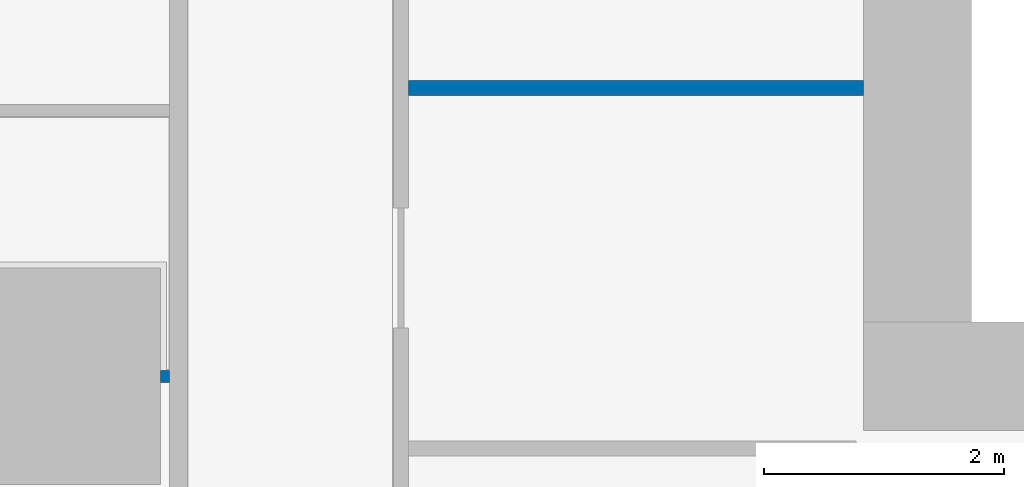
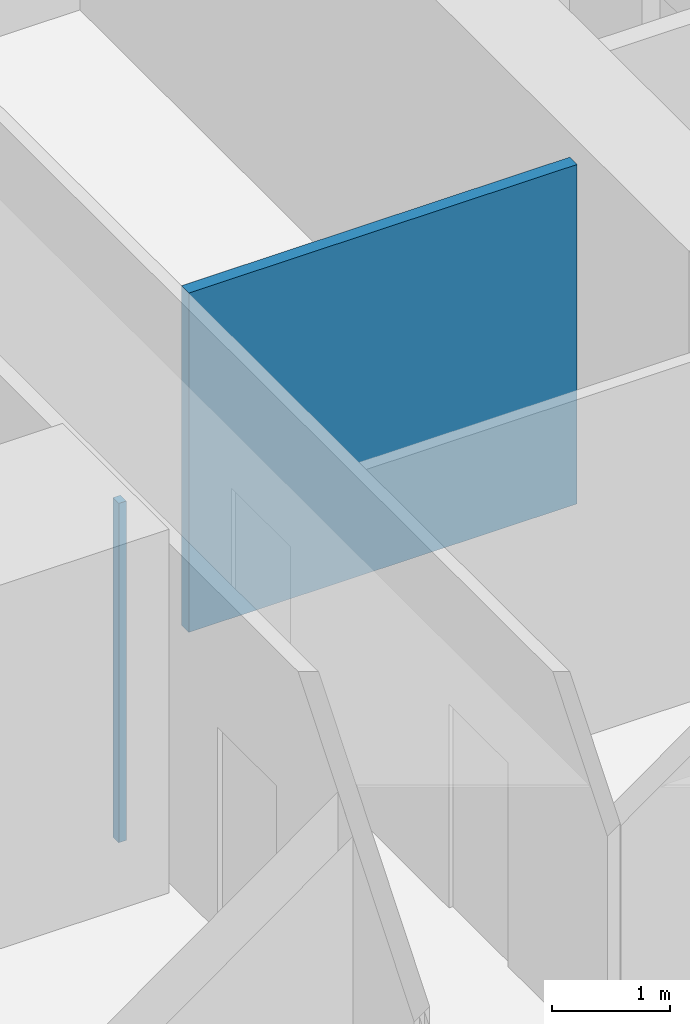
# One storey, part 5 of 16: 2 walls.
"""IFC4 building model written with IfcOpenShell, lengths in metres."""

import ifcopenshell
import ifcopenshell.guid

model = None  # the IFC model being written
_history = None  # IfcOwnerHistory: only IFC2X3 demands one
_inside = {}  # id of a spatial element -> (the spatial element, [elements in it])
_under = {}  # id of a project, library or spatial element -> (it, [spatial elements below it])
_declared = {}  # id of a project -> (the project, [libraries it declares])
_typed = {}  # id of a type object -> (the type object, [elements of that type])
_made_of = {}  # id of a material, layer set ... -> (it, [elements and type objects made of it])


def new_model(schema):
    """Start an empty IFC model of exactly this schema.

    Asked for "IFC4X3", IfcOpenShell would pick the latest addendum, in which some entities
    have other attributes; the version numbers below select the first issue.
    IFC2X3 requires an IfcOwnerHistory on every rooted entity: one is made here for all.
    """
    global model, _history
    if schema == "IFC4X3":
        model = ifcopenshell.file(schema_version=(4, 3, 0, 0))
    else:
        model = ifcopenshell.file(schema=schema)
    _inside.clear()
    _under.clear()
    _declared.clear()
    _typed.clear()
    _made_of.clear()
    _history = None
    if model.schema == "IFC2X3":
        org = make("IfcOrganization", Name="unknown")
        user = make(
            "IfcPersonAndOrganization",
            ThePerson=make("IfcPerson", FamilyName="unknown"),
            TheOrganization=org,
        )
        app = make(
            "IfcApplication",
            ApplicationDeveloper=org,
            Version="unknown",
            ApplicationFullName="unknown",
            ApplicationIdentifier="unknown",
        )
        _history = make(
            "IfcOwnerHistory",
            OwningUser=user,
            OwningApplication=app,
            ChangeAction="ADDED",
            CreationDate=0,
        )
    return model


def make(cls, **values):
    """One entity of the class cls with the attributes given. An attribute that is None is left unset."""
    return model.create_entity(
        cls, **{name: value for name, value in values.items() if value is not None}
    )


def rooted(cls, **values):
    """An entity with a GlobalId (a new one), such as an element, a storey or a relation."""
    return make(cls, GlobalId=ifcopenshell.guid.new(), OwnerHistory=_history, **values)


def si_unit(unit_type, name, prefix=None):
    """IfcSIUnit, for example si_unit("LENGTHUNIT", "METRE", prefix="MILLI")."""
    return make("IfcSIUnit", UnitType=unit_type, Prefix=prefix, Name=name)


def assignment(units):
    """IfcUnitAssignment: the units of a project."""
    return None if units is None else make("IfcUnitAssignment", Units=units)


def point(xyz):
    """IfcCartesianPoint."""
    return None if xyz is None else make("IfcCartesianPoint", Coordinates=xyz)


def direction(xyz):
    """IfcDirection."""
    return None if xyz is None else make("IfcDirection", DirectionRatios=xyz)


def frame(location, z_axis=None, x_axis=None):
    """IfcAxis2Placement3D, a coordinate frame: its origin and axes. An axis left out is left unset."""
    return make(
        "IfcAxis2Placement3D",
        Location=point(location),
        Axis=direction(z_axis),
        RefDirection=direction(x_axis),
    )


def frame_2d(location, x_axis=None):
    """IfcAxis2Placement2D, a coordinate frame in the plane: its origin and x axis."""
    return make(
        "IfcAxis2Placement2D", Location=point(location), RefDirection=direction(x_axis)
    )


def origin():
    """The frame at (0, 0, 0) with its axes left unset."""
    return frame((0.0, 0.0, 0.0))


def place(relative_to, where):
    """IfcLocalPlacement: puts the frame where relative to a parent placement (None: the world)."""
    return make(
        "IfcLocalPlacement", PlacementRelTo=relative_to, RelativePlacement=where
    )


def context(
    kind, dimensions, precision=None, world=None, true_north=None, identifier=None
):
    """IfcGeometricRepresentationContext, for example the 3D "Model" context."""
    return make(
        "IfcGeometricRepresentationContext",
        ContextIdentifier=identifier,
        ContextType=kind,
        CoordinateSpaceDimension=dimensions,
        Precision=precision,
        WorldCoordinateSystem=world,
        TrueNorth=true_north,
    )


def subcontext(parent, identifier, kind, view, scale=None):
    """IfcGeometricRepresentationSubContext, for example "Body" below "Model"."""
    return make(
        "IfcGeometricRepresentationSubContext",
        ContextIdentifier=identifier,
        ContextType=kind,
        ParentContext=parent,
        TargetScale=scale,
        TargetView=view,
    )


def project(units=None, contexts=None):
    """IfcProject with its units and contexts."""
    return rooted(
        "IfcProject",
        Name="project",
        RepresentationContexts=contexts,
        UnitsInContext=assignment(units),
    )


def spatial(cls, under=None, at=None, **own):
    """A site, building, storey or space (cls), placed at a placement, below another one or the project."""
    s = rooted(cls, ObjectPlacement=at, **own)
    if under is not None:
        _under.setdefault(under.id(), (under, []))[1].append(s)
    return s


def profile(cls, at=None, kind="AREA", **sizes):
    """A parametric profile (cls). Its sizes go by their IFC names, for example OverallWidth=200.0."""
    return make(cls, ProfileType=kind, Position=at, **sizes)


def rectangle(**sizes):
    """IfcRectangleProfileDef."""
    return profile("IfcRectangleProfileDef", **sizes)


def extrude(swept, where, along, depth):
    """IfcExtrudedAreaSolid: the profile swept, set in the frame where, extruded along a direction by depth."""
    return make(
        "IfcExtrudedAreaSolid",
        SweptArea=swept,
        Position=where,
        ExtrudedDirection=direction(along),
        Depth=depth,
    )


def shape(context_of_items, identifier, shape_type, items):
    """IfcShapeRepresentation: the items that make up one representation, for example the "Body"."""
    return make(
        "IfcShapeRepresentation",
        ContextOfItems=context_of_items,
        RepresentationIdentifier=identifier,
        RepresentationType=shape_type,
        Items=items,
    )


def material(Name=None, Category=None):
    """IfcMaterial."""
    return make("IfcMaterial", Name=Name, Category=Category)


def layer(
    of_material, thickness, ventilated=None, Name=None, Category=None, Priority=None
):
    """IfcMaterialLayer: one layer of a wall or slab, of a material (None: an air gap)."""
    return make(
        "IfcMaterialLayer",
        Material=of_material,
        LayerThickness=thickness,
        IsVentilated=ventilated,
        Name=Name,
        Category=Category,
        Priority=Priority,
    )


def layer_set(layers, Name=None):
    """IfcMaterialLayerSet."""
    return make("IfcMaterialLayerSet", MaterialLayers=layers, LayerSetName=Name)


def made_of(thing, what):
    """Note that an element or type object is made of a material, layer set ...; save() writes the relation."""
    if what is not None:
        _made_of.setdefault(what.id(), (what, []))[1].append(thing)
    return thing


def type_object(cls, material=None, **own):
    """A type object (cls), such as IfcWallType, which elements share."""
    return made_of(rooted(cls, **own), material)


def element(
    cls,
    number,
    at=None,
    inside=None,
    cuts=None,
    type_object=None,
    material=None,
    context=None,
    identifier="Body",
    shape_type=None,
    held_by="IfcProductDefinitionShape",
    body=None,
    shapes=None,
    **own,
):
    """One element of the class cls, such as IfcWall. Its Tag is "e" and its number.

    at: its placement. inside: the storey or other place that contains it. cuts: it is an
    opening in that element (IfcRelVoidsElement). A single representation is given by context,
    identifier, shape_type and body (its items); several are given by shapes. held_by: the class
    of the entity that holds the representations. save() writes the other relations.
    """
    e = rooted(cls, Tag="e%d" % number, ObjectPlacement=at, **own)
    if body is not None:
        shapes = [shape(context, identifier, shape_type, body)]
    if shapes is not None:
        e.Representation = make(held_by, Representations=shapes)
    if inside is not None:
        _inside.setdefault(inside.id(), (inside, []))[1].append(e)
    if cuts is not None:
        rooted(
            "IfcRelVoidsElement", RelatingBuildingElement=cuts, RelatedOpeningElement=e
        )
    if type_object is not None:
        _typed.setdefault(type_object.id(), (type_object, []))[1].append(e)
    return made_of(e, material)


def aggregate(whole, parts):
    """IfcRelAggregates: a whole, such as a stair, and the parts it consists of."""
    return rooted("IfcRelAggregates", RelatingObject=whole, RelatedObjects=parts)


def save(model, path):
    """Write the relations noted so far, then the file.

    IfcRelAggregates (storeys below a building ...), IfcRelContainedInSpatialStructure (elements
    in a storey), IfcRelDefinesByType, IfcRelAssociatesMaterial and IfcRelDeclares: one each for
    every whole, place, type object, material and project.
    """
    for whole, parts in _under.values():
        aggregate(whole, parts)
    for where, things in _inside.values():
        rooted(
            "IfcRelContainedInSpatialStructure",
            RelatedElements=things,
            RelatingStructure=where,
        )
    for kind, things in _typed.values():
        rooted("IfcRelDefinesByType", RelatedObjects=things, RelatingType=kind)
    for what, things in _made_of.values():
        rooted("IfcRelAssociatesMaterial", RelatedObjects=things, RelatingMaterial=what)
    for by, libraries in _declared.values():
        rooted("IfcRelDeclares", RelatingContext=by, RelatedDefinitions=libraries)
    model.write(path)


model = new_model("IFC4")

# Units and contexts
model_context = context("Model", 3, precision=1e-05, world=origin(), true_north=direction((0.0, 1.0)))
body_context = subcontext(model_context, "Body", "Model", "MODEL_VIEW")
ifc_project = project(units=[si_unit("LENGTHUNIT", "METRE"), si_unit("AREAUNIT", "SQUARE_METRE"), si_unit("VOLUMEUNIT", "CUBIC_METRE"), si_unit("PLANEANGLEUNIT", "RADIAN"), si_unit("MASSUNIT", "GRAM", prefix="KILO")], contexts=[model_context])

# Site, building, storey
site_placement = place(None, origin())
site = spatial("IfcSite", under=ifc_project, at=site_placement, CompositionType="ELEMENT")
building_placement = place(site_placement, origin())
building = spatial("IfcBuilding", under=site, at=building_placement, Name="Sheger Commons Tower", CompositionType="ELEMENT")
storey_placement = place(building_placement, frame((0.0, 0.0, 57.5)))
storey = spatial("IfcBuildingStorey", under=building, at=storey_placement, Name="L14", CompositionType="ELEMENT", Elevation=57.5)

# Walls
ifc_material_1 = material(Name="Gypsum board on steel studs", Category="steel")
ifc_layer_1 = layer(ifc_material_1, 0.10009765625)
ifc_layer_set_1 = layer_set([ifc_layer_1], Name="PARTITION 100")
wall_type_1 = type_object("IfcWallType", Name="PARTITION 100", PredefinedType="PARTITIONING", material=ifc_layer_set_1)
wall_1_placement = place(storey_placement, frame((8.10107421875, 15.0, 0.0), z_axis=(0.0, 0.0, 1.0), x_axis=(1.0, 0.0, 0.0)))
element("IfcWall", 1, at=wall_1_placement, inside=storey, type_object=wall_type_1, Name="Partition L14", PredefinedType="PARTITIONING", context=body_context, shape_type="SweptSolid", body=[
    extrude(rectangle(XDim=0.073974609375, YDim=0.10009765625, at=frame_2d((0.037109375, 0.0))), origin(), (0.0, 0.0, 1.0), 3.5),
])
ifc_material_2 = material(Name="Gypsum board on steel studs, two layers each side, fire rated", Category="steel")
ifc_layer_2 = layer(ifc_material_2, 0.125)
ifc_layer_set_2 = layer_set([ifc_layer_2], Name="SERVICE WALL 125")
wall_type_2 = type_object("IfcWallType", Name="SERVICE WALL 125", PredefinedType="PARTITIONING", material=ifc_layer_set_2)
wall_2_placement = place(storey_placement, frame((10.1630859375, 17.39990234375, 0.0), z_axis=(0.0, 0.0, 1.0), x_axis=(1.0, 0.0, 0.0)))
element("IfcWall", 2, at=wall_2_placement, inside=storey, type_object=wall_type_2, Name="Service room wall L14", PredefinedType="PARTITIONING", context=body_context, shape_type="SweptSolid", body=[
    extrude(rectangle(XDim=3.786865234375, YDim=0.125, at=frame_2d((1.8935546875, 0.0))), origin(), (0.0, 0.0, 1.0), 3.5),
])

save(model, "model.ifc")
